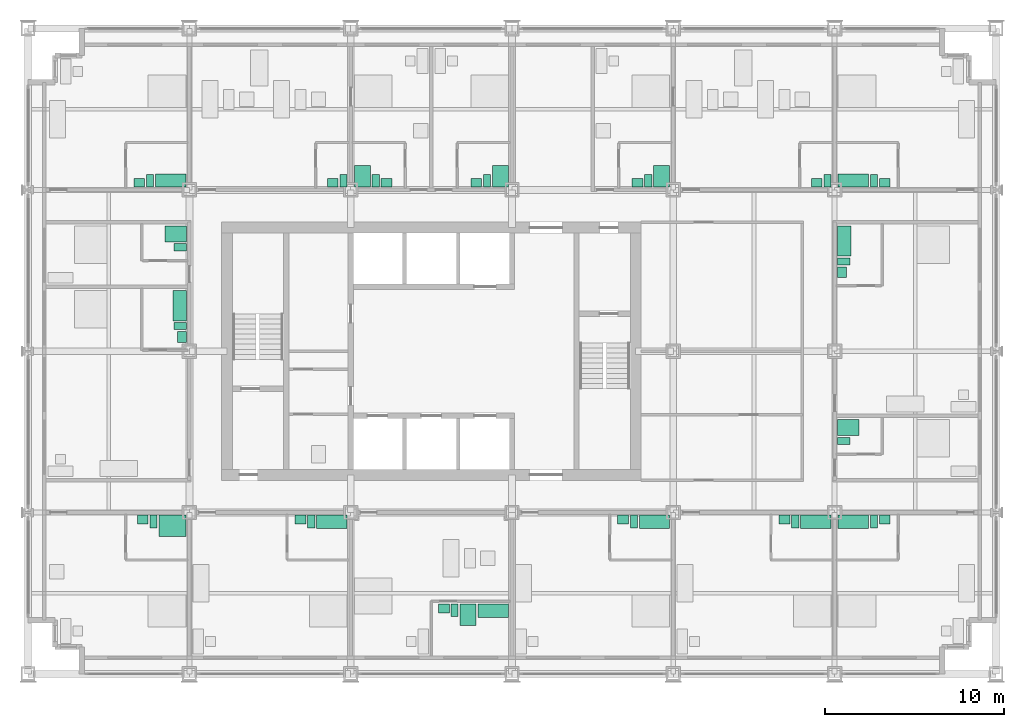
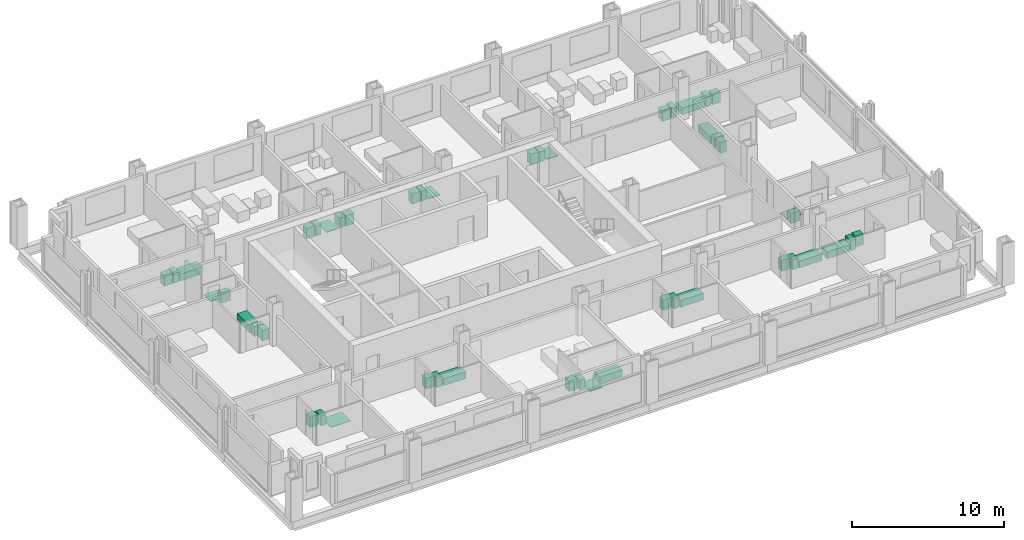
# One storey, part 17 of 18: 48 sanitary terminals.
"""IFC4 building model written with IfcOpenShell, lengths in metres."""

from ifc_helpers import new_model, si_unit, direction, frame, origin, origin_2d, place, context, subcontext, project, spatial, rectangle, extrude, element, save


model = new_model("IFC4")

# Units and contexts
model_context = context("Model", 3, precision=1e-05, world=origin(), true_north=direction((0.0, 1.0)))
body_context = subcontext(model_context, "Body", "Model", "MODEL_VIEW")
ifc_project = project(units=[si_unit("LENGTHUNIT", "METRE"), si_unit("AREAUNIT", "SQUARE_METRE"), si_unit("VOLUMEUNIT", "CUBIC_METRE"), si_unit("PLANEANGLEUNIT", "RADIAN"), si_unit("MASSUNIT", "GRAM", prefix="KILO")], contexts=[model_context])

# Site, building, storey
site_placement = place(None, origin())
site = spatial("IfcSite", under=ifc_project, at=site_placement, CompositionType="ELEMENT")
building_placement = place(site_placement, origin())
building = spatial("IfcBuilding", under=site, at=building_placement, Name="Loomwork Tower", CompositionType="ELEMENT")
storey_placement = place(building_placement, frame((0.0, 0.0, 48.39990234375)))
storey = spatial("IfcBuildingStorey", under=building, at=storey_placement, Name="L11", CompositionType="ELEMENT", Elevation=48.39990234375)

# Sanitary terminals
sanitary_terminal_1_placement = place(storey_placement, frame((8.050048828125, 8.25, 0.0), z_axis=(0.0, 0.0, 1.0), x_axis=(1.0, 0.0, 0.0)))
element("IfcSanitaryTerminal", 1, at=sanitary_terminal_1_placement, inside=storey, Name="Roll-in shower floor L11", PredefinedType="SHOWER", context=body_context, shape_type="SweptSolid", body=[
    extrude(rectangle(XDim=1.5, YDim=1.199951171875, at=origin_2d()), origin(), (0.0, 0.0, 1.0), 0.030029296875),
])
sanitary_terminal_2_placement = place(storey_placement, frame((7.0, 8.5, 0.0), z_axis=(0.0, 0.0, 1.0), x_axis=(1.0, 0.0, 0.0)))
element("IfcSanitaryTerminal", 2, at=sanitary_terminal_2_placement, inside=storey, Name="WC L11", PredefinedType="TOILETPAN", context=body_context, shape_type="SweptSolid", body=[
    extrude(rectangle(XDim=0.39990234375, YDim=0.699951171875, at=origin_2d()), origin(), (0.0, 0.0, 1.0), 0.800048828125),
])
sanitary_terminal_3_placement = place(storey_placement, frame((6.39990234375, 8.60009765625, 0.0), z_axis=(0.0, 0.0, 1.0), x_axis=(1.0, 0.0, 0.0)))
element("IfcSanitaryTerminal", 3, at=sanitary_terminal_3_placement, inside=storey, Name="Basin vanity L11", PredefinedType="WASHHANDBASIN", context=body_context, shape_type="SweptSolid", body=[
    extrude(rectangle(XDim=0.60009765625, YDim=0.5, at=origin_2d()), origin(), (0.0, 0.0, 1.0), 0.85009765625),
])
sanitary_terminal_4_placement = place(storey_placement, frame((16.949951171875, 8.47509765625, 0.0), z_axis=(0.0, 0.0, 1.0), x_axis=(1.0, 0.0, 0.0)))
element("IfcSanitaryTerminal", 4, at=sanitary_terminal_4_placement, inside=storey, Name="Bath L11", PredefinedType="BATH", context=body_context, shape_type="SweptSolid", body=[
    extrude(rectangle(XDim=1.699951171875, YDim=0.75, at=origin_2d()), origin(), (0.0, 0.0, 1.0), 0.550048828125),
])
sanitary_terminal_5_placement = place(storey_placement, frame((15.800048828125, 8.5, 0.0), z_axis=(0.0, 0.0, 1.0), x_axis=(1.0, 0.0, 0.0)))
element("IfcSanitaryTerminal", 5, at=sanitary_terminal_5_placement, inside=storey, Name="WC L11", PredefinedType="TOILETPAN", context=body_context, shape_type="SweptSolid", body=[
    extrude(rectangle(XDim=0.39990234375, YDim=0.699951171875, at=origin_2d()), origin(), (0.0, 0.0, 1.0), 0.800048828125),
])
sanitary_terminal_6_placement = place(storey_placement, frame((15.199951171875, 8.60009765625, 0.0), z_axis=(0.0, 0.0, 1.0), x_axis=(1.0, 0.0, 0.0)))
element("IfcSanitaryTerminal", 6, at=sanitary_terminal_6_placement, inside=storey, Name="Basin vanity L11", PredefinedType="WASHHANDBASIN", context=body_context, shape_type="SweptSolid", body=[
    extrude(rectangle(XDim=0.60009765625, YDim=0.5, at=origin_2d()), origin(), (0.0, 0.0, 1.0), 0.85009765625),
])
sanitary_terminal_7_placement = place(storey_placement, frame((25.949951171875, 3.52490234375, 0.0), z_axis=(0.0, 0.0, 1.0), x_axis=(1.0, 0.0, 0.0)))
element("IfcSanitaryTerminal", 7, at=sanitary_terminal_7_placement, inside=storey, Name="Bath L11", PredefinedType="BATH", context=body_context, shape_type="SweptSolid", body=[
    extrude(rectangle(XDim=1.699951171875, YDim=0.75, at=origin_2d()), origin(), (0.0, 0.0, 1.0), 0.550048828125),
])
sanitary_terminal_8_placement = place(storey_placement, frame((24.550048828125, 3.300048828125, 0.0), z_axis=(0.0, 0.0, 1.0), x_axis=(1.0, 0.0, 0.0)))
element("IfcSanitaryTerminal", 8, at=sanitary_terminal_8_placement, inside=storey, Name="Shower tray L11", PredefinedType="SHOWER", context=body_context, shape_type="SweptSolid", body=[
    extrude(rectangle(XDim=0.89990234375, YDim=1.199951171875, at=origin_2d()), origin(), (0.0, 0.0, 1.0), 0.050048828125),
])
sanitary_terminal_9_placement = place(storey_placement, frame((23.800048828125, 3.550048828125, 0.0), z_axis=(0.0, 0.0, 1.0), x_axis=(1.0, 0.0, 0.0)))
element("IfcSanitaryTerminal", 9, at=sanitary_terminal_9_placement, inside=storey, Name="WC L11", PredefinedType="TOILETPAN", context=body_context, shape_type="SweptSolid", body=[
    extrude(rectangle(XDim=0.39990234375, YDim=0.699951171875, at=origin_2d()), origin(), (0.0, 0.0, 1.0), 0.800048828125),
])
sanitary_terminal_10_placement = place(storey_placement, frame((23.199951171875, 3.64990234375, 0.0), z_axis=(0.0, 0.0, 1.0), x_axis=(1.0, 0.0, 0.0)))
element("IfcSanitaryTerminal", 10, at=sanitary_terminal_10_placement, inside=storey, Name="Basin vanity L11", PredefinedType="WASHHANDBASIN", context=body_context, shape_type="SweptSolid", body=[
    extrude(rectangle(XDim=0.60009765625, YDim=0.5, at=origin_2d()), origin(), (0.0, 0.0, 1.0), 0.85009765625),
])
sanitary_terminal_11_placement = place(storey_placement, frame((34.949951171875, 8.47509765625, 0.0), z_axis=(0.0, 0.0, 1.0), x_axis=(1.0, 0.0, 0.0)))
element("IfcSanitaryTerminal", 11, at=sanitary_terminal_11_placement, inside=storey, Name="Bath L11", PredefinedType="BATH", context=body_context, shape_type="SweptSolid", body=[
    extrude(rectangle(XDim=1.699951171875, YDim=0.75, at=origin_2d()), origin(), (0.0, 0.0, 1.0), 0.550048828125),
])
sanitary_terminal_12_placement = place(storey_placement, frame((33.800048828125, 8.5, 0.0), z_axis=(0.0, 0.0, 1.0), x_axis=(1.0, 0.0, 0.0)))
element("IfcSanitaryTerminal", 12, at=sanitary_terminal_12_placement, inside=storey, Name="WC L11", PredefinedType="TOILETPAN", context=body_context, shape_type="SweptSolid", body=[
    extrude(rectangle(XDim=0.39990234375, YDim=0.699951171875, at=origin_2d()), origin(), (0.0, 0.0, 1.0), 0.800048828125),
])
sanitary_terminal_13_placement = place(storey_placement, frame((33.199951171875, 8.60009765625, 0.0), z_axis=(0.0, 0.0, 1.0), x_axis=(1.0, 0.0, 0.0)))
element("IfcSanitaryTerminal", 13, at=sanitary_terminal_13_placement, inside=storey, Name="Basin vanity L11", PredefinedType="WASHHANDBASIN", context=body_context, shape_type="SweptSolid", body=[
    extrude(rectangle(XDim=0.60009765625, YDim=0.5, at=origin_2d()), origin(), (0.0, 0.0, 1.0), 0.85009765625),
])
sanitary_terminal_14_placement = place(storey_placement, frame((43.949951171875, 8.47509765625, 0.0), z_axis=(0.0, 0.0, 1.0), x_axis=(1.0, 0.0, 0.0)))
element("IfcSanitaryTerminal", 14, at=sanitary_terminal_14_placement, inside=storey, Name="Bath L11", PredefinedType="BATH", context=body_context, shape_type="SweptSolid", body=[
    extrude(rectangle(XDim=1.699951171875, YDim=0.75, at=origin_2d()), origin(), (0.0, 0.0, 1.0), 0.550048828125),
])
sanitary_terminal_15_placement = place(storey_placement, frame((42.800048828125, 8.5, 0.0), z_axis=(0.0, 0.0, 1.0), x_axis=(1.0, 0.0, 0.0)))
element("IfcSanitaryTerminal", 15, at=sanitary_terminal_15_placement, inside=storey, Name="WC L11", PredefinedType="TOILETPAN", context=body_context, shape_type="SweptSolid", body=[
    extrude(rectangle(XDim=0.39990234375, YDim=0.699951171875, at=origin_2d()), origin(), (0.0, 0.0, 1.0), 0.800048828125),
])
sanitary_terminal_16_placement = place(storey_placement, frame((42.199951171875, 8.60009765625, 0.0), z_axis=(0.0, 0.0, 1.0), x_axis=(1.0, 0.0, 0.0)))
element("IfcSanitaryTerminal", 16, at=sanitary_terminal_16_placement, inside=storey, Name="Basin vanity L11", PredefinedType="WASHHANDBASIN", context=body_context, shape_type="SweptSolid", body=[
    extrude(rectangle(XDim=0.60009765625, YDim=0.5, at=origin_2d()), origin(), (0.0, 0.0, 1.0), 0.85009765625),
])
sanitary_terminal_17_placement = place(storey_placement, frame((46.050048828125, 8.47509765625, 0.0), z_axis=(0.0, 0.0, 1.0), x_axis=(1.0, 0.0, 0.0)))
element("IfcSanitaryTerminal", 17, at=sanitary_terminal_17_placement, inside=storey, Name="Bath L11", PredefinedType="BATH", context=body_context, shape_type="SweptSolid", body=[
    extrude(rectangle(XDim=1.699951171875, YDim=0.75, at=origin_2d()), origin(), (0.0, 0.0, 1.0), 0.550048828125),
])
sanitary_terminal_18_placement = place(storey_placement, frame((47.199951171875, 8.5, 0.0), z_axis=(0.0, 0.0, 1.0), x_axis=(1.0, 0.0, 0.0)))
element("IfcSanitaryTerminal", 18, at=sanitary_terminal_18_placement, inside=storey, Name="WC L11", PredefinedType="TOILETPAN", context=body_context, shape_type="SweptSolid", body=[
    extrude(rectangle(XDim=0.39990234375, YDim=0.699951171875, at=origin_2d()), origin(), (0.0, 0.0, 1.0), 0.800048828125),
])
sanitary_terminal_19_placement = place(storey_placement, frame((47.800048828125, 8.60009765625, 0.0), z_axis=(0.0, 0.0, 1.0), x_axis=(1.0, 0.0, 0.0)))
element("IfcSanitaryTerminal", 19, at=sanitary_terminal_19_placement, inside=storey, Name="Basin vanity L11", PredefinedType="WASHHANDBASIN", context=body_context, shape_type="SweptSolid", body=[
    extrude(rectangle(XDim=0.60009765625, YDim=0.5, at=origin_2d()), origin(), (0.0, 0.0, 1.0), 0.85009765625),
])
sanitary_terminal_20_placement = place(storey_placement, frame((7.949951171875, 27.52490234375, 0.0), z_axis=(0.0, 0.0, 1.0), x_axis=(1.0, 0.0, 0.0)))
element("IfcSanitaryTerminal", 20, at=sanitary_terminal_20_placement, inside=storey, Name="Bath L11", PredefinedType="BATH", context=body_context, shape_type="SweptSolid", body=[
    extrude(rectangle(XDim=1.699951171875, YDim=0.75, at=origin_2d()), origin(), (0.0, 0.0, 1.0), 0.550048828125),
])
sanitary_terminal_21_placement = place(storey_placement, frame((6.800048828125, 27.5, 0.0), z_axis=(0.0, 0.0, 1.0), x_axis=(1.0, 0.0, 0.0)))
element("IfcSanitaryTerminal", 21, at=sanitary_terminal_21_placement, inside=storey, Name="WC L11", PredefinedType="TOILETPAN", context=body_context, shape_type="SweptSolid", body=[
    extrude(rectangle(XDim=0.39990234375, YDim=0.699951171875, at=origin_2d()), origin(), (0.0, 0.0, 1.0), 0.800048828125),
])
sanitary_terminal_22_placement = place(storey_placement, frame((6.199951171875, 27.39990234375, 0.0), z_axis=(0.0, 0.0, 1.0), x_axis=(1.0, 0.0, 0.0)))
element("IfcSanitaryTerminal", 22, at=sanitary_terminal_22_placement, inside=storey, Name="Basin vanity L11", PredefinedType="WASHHANDBASIN", context=body_context, shape_type="SweptSolid", body=[
    extrude(rectangle(XDim=0.60009765625, YDim=0.5, at=origin_2d()), origin(), (0.0, 0.0, 1.0), 0.85009765625),
])
sanitary_terminal_23_placement = place(storey_placement, frame((17.60009765625, 27.5, 0.0), z_axis=(0.0, 0.0, 1.0), x_axis=(1.0, 0.0, 0.0)))
element("IfcSanitaryTerminal", 23, at=sanitary_terminal_23_placement, inside=storey, Name="WC L11", PredefinedType="TOILETPAN", context=body_context, shape_type="SweptSolid", body=[
    extrude(rectangle(XDim=0.39990234375, YDim=0.699951171875, at=origin_2d()), origin(), (0.0, 0.0, 1.0), 0.800048828125),
])
sanitary_terminal_24_placement = place(storey_placement, frame((17.0, 27.39990234375, 0.0), z_axis=(0.0, 0.0, 1.0), x_axis=(1.0, 0.0, 0.0)))
element("IfcSanitaryTerminal", 24, at=sanitary_terminal_24_placement, inside=storey, Name="Basin vanity L11", PredefinedType="WASHHANDBASIN", context=body_context, shape_type="SweptSolid", body=[
    extrude(rectangle(XDim=0.60009765625, YDim=0.5, at=origin_2d()), origin(), (0.0, 0.0, 1.0), 0.85009765625),
])
sanitary_terminal_25_placement = place(storey_placement, frame((18.64990234375, 27.75, 0.0), z_axis=(0.0, 0.0, 1.0), x_axis=(1.0, 0.0, 0.0)))
element("IfcSanitaryTerminal", 25, at=sanitary_terminal_25_placement, inside=storey, Name="Shower tray L11", PredefinedType="SHOWER", context=body_context, shape_type="SweptSolid", body=[
    extrude(rectangle(XDim=0.89990234375, YDim=1.199951171875, at=origin_2d()), origin(), (0.0, 0.0, 1.0), 0.050048828125),
])
sanitary_terminal_26_placement = place(storey_placement, frame((19.39990234375, 27.5, 0.0), z_axis=(0.0, 0.0, 1.0), x_axis=(1.0, 0.0, 0.0)))
element("IfcSanitaryTerminal", 26, at=sanitary_terminal_26_placement, inside=storey, Name="WC L11", PredefinedType="TOILETPAN", context=body_context, shape_type="SweptSolid", body=[
    extrude(rectangle(XDim=0.39990234375, YDim=0.699951171875, at=origin_2d()), origin(), (0.0, 0.0, 1.0), 0.800048828125),
])
sanitary_terminal_27_placement = place(storey_placement, frame((20.0, 27.39990234375, 0.0), z_axis=(0.0, 0.0, 1.0), x_axis=(1.0, 0.0, 0.0)))
element("IfcSanitaryTerminal", 27, at=sanitary_terminal_27_placement, inside=storey, Name="Basin vanity L11", PredefinedType="WASHHANDBASIN", context=body_context, shape_type="SweptSolid", body=[
    extrude(rectangle(XDim=0.60009765625, YDim=0.5, at=origin_2d()), origin(), (0.0, 0.0, 1.0), 0.85009765625),
])
sanitary_terminal_28_placement = place(storey_placement, frame((26.35009765625, 27.75, 0.0), z_axis=(0.0, 0.0, 1.0), x_axis=(1.0, 0.0, 0.0)))
element("IfcSanitaryTerminal", 28, at=sanitary_terminal_28_placement, inside=storey, Name="Shower tray L11", PredefinedType="SHOWER", context=body_context, shape_type="SweptSolid", body=[
    extrude(rectangle(XDim=0.89990234375, YDim=1.199951171875, at=origin_2d()), origin(), (0.0, 0.0, 1.0), 0.050048828125),
])
sanitary_terminal_29_placement = place(storey_placement, frame((25.60009765625, 27.5, 0.0), z_axis=(0.0, 0.0, 1.0), x_axis=(1.0, 0.0, 0.0)))
element("IfcSanitaryTerminal", 29, at=sanitary_terminal_29_placement, inside=storey, Name="WC L11", PredefinedType="TOILETPAN", context=body_context, shape_type="SweptSolid", body=[
    extrude(rectangle(XDim=0.39990234375, YDim=0.699951171875, at=origin_2d()), origin(), (0.0, 0.0, 1.0), 0.800048828125),
])
sanitary_terminal_30_placement = place(storey_placement, frame((25.0, 27.39990234375, 0.0), z_axis=(0.0, 0.0, 1.0), x_axis=(1.0, 0.0, 0.0)))
element("IfcSanitaryTerminal", 30, at=sanitary_terminal_30_placement, inside=storey, Name="Basin vanity L11", PredefinedType="WASHHANDBASIN", context=body_context, shape_type="SweptSolid", body=[
    extrude(rectangle(XDim=0.60009765625, YDim=0.5, at=origin_2d()), origin(), (0.0, 0.0, 1.0), 0.85009765625),
])
sanitary_terminal_31_placement = place(storey_placement, frame((35.35009765625, 27.75, 0.0), z_axis=(0.0, 0.0, 1.0), x_axis=(1.0, 0.0, 0.0)))
element("IfcSanitaryTerminal", 31, at=sanitary_terminal_31_placement, inside=storey, Name="Shower tray L11", PredefinedType="SHOWER", context=body_context, shape_type="SweptSolid", body=[
    extrude(rectangle(XDim=0.89990234375, YDim=1.199951171875, at=origin_2d()), origin(), (0.0, 0.0, 1.0), 0.050048828125),
])
sanitary_terminal_32_placement = place(storey_placement, frame((34.60009765625, 27.5, 0.0), z_axis=(0.0, 0.0, 1.0), x_axis=(1.0, 0.0, 0.0)))
element("IfcSanitaryTerminal", 32, at=sanitary_terminal_32_placement, inside=storey, Name="WC L11", PredefinedType="TOILETPAN", context=body_context, shape_type="SweptSolid", body=[
    extrude(rectangle(XDim=0.39990234375, YDim=0.699951171875, at=origin_2d()), origin(), (0.0, 0.0, 1.0), 0.800048828125),
])
sanitary_terminal_33_placement = place(storey_placement, frame((34.0, 27.39990234375, 0.0), z_axis=(0.0, 0.0, 1.0), x_axis=(1.0, 0.0, 0.0)))
element("IfcSanitaryTerminal", 33, at=sanitary_terminal_33_placement, inside=storey, Name="Basin vanity L11", PredefinedType="WASHHANDBASIN", context=body_context, shape_type="SweptSolid", body=[
    extrude(rectangle(XDim=0.60009765625, YDim=0.5, at=origin_2d()), origin(), (0.0, 0.0, 1.0), 0.85009765625),
])
sanitary_terminal_34_placement = place(storey_placement, frame((44.60009765625, 27.5, 0.0), z_axis=(0.0, 0.0, 1.0), x_axis=(1.0, 0.0, 0.0)))
element("IfcSanitaryTerminal", 34, at=sanitary_terminal_34_placement, inside=storey, Name="WC L11", PredefinedType="TOILETPAN", context=body_context, shape_type="SweptSolid", body=[
    extrude(rectangle(XDim=0.39990234375, YDim=0.699951171875, at=origin_2d()), origin(), (0.0, 0.0, 1.0), 0.800048828125),
])
sanitary_terminal_35_placement = place(storey_placement, frame((44.0, 27.39990234375, 0.0), z_axis=(0.0, 0.0, 1.0), x_axis=(1.0, 0.0, 0.0)))
element("IfcSanitaryTerminal", 35, at=sanitary_terminal_35_placement, inside=storey, Name="Basin vanity L11", PredefinedType="WASHHANDBASIN", context=body_context, shape_type="SweptSolid", body=[
    extrude(rectangle(XDim=0.60009765625, YDim=0.5, at=origin_2d()), origin(), (0.0, 0.0, 1.0), 0.85009765625),
])
sanitary_terminal_36_placement = place(storey_placement, frame((46.050048828125, 27.52490234375, 0.0), z_axis=(0.0, 0.0, 1.0), x_axis=(1.0, 0.0, 0.0)))
element("IfcSanitaryTerminal", 36, at=sanitary_terminal_36_placement, inside=storey, Name="Bath L11", PredefinedType="BATH", context=body_context, shape_type="SweptSolid", body=[
    extrude(rectangle(XDim=1.699951171875, YDim=0.75, at=origin_2d()), origin(), (0.0, 0.0, 1.0), 0.550048828125),
])
sanitary_terminal_37_placement = place(storey_placement, frame((47.199951171875, 27.5, 0.0), z_axis=(0.0, 0.0, 1.0), x_axis=(1.0, 0.0, 0.0)))
element("IfcSanitaryTerminal", 37, at=sanitary_terminal_37_placement, inside=storey, Name="WC L11", PredefinedType="TOILETPAN", context=body_context, shape_type="SweptSolid", body=[
    extrude(rectangle(XDim=0.39990234375, YDim=0.699951171875, at=origin_2d()), origin(), (0.0, 0.0, 1.0), 0.800048828125),
])
sanitary_terminal_38_placement = place(storey_placement, frame((47.800048828125, 27.39990234375, 0.0), z_axis=(0.0, 0.0, 1.0), x_axis=(1.0, 0.0, 0.0)))
element("IfcSanitaryTerminal", 38, at=sanitary_terminal_38_placement, inside=storey, Name="Basin vanity L11", PredefinedType="WASHHANDBASIN", context=body_context, shape_type="SweptSolid", body=[
    extrude(rectangle(XDim=0.60009765625, YDim=0.5, at=origin_2d()), origin(), (0.0, 0.0, 1.0), 0.85009765625),
])
sanitary_terminal_39_placement = place(storey_placement, frame((8.47509765625, 20.550048828125, 0.0), z_axis=(0.0, 0.0, 1.0), x_axis=(1.0, 0.0, 0.0)))
element("IfcSanitaryTerminal", 39, at=sanitary_terminal_39_placement, inside=storey, Name="Bath L11", PredefinedType="BATH", context=body_context, shape_type="SweptSolid", body=[
    extrude(rectangle(XDim=0.75, YDim=1.699951171875, at=origin_2d()), origin(), (0.0, 0.0, 1.0), 0.550048828125),
])
sanitary_terminal_40_placement = place(storey_placement, frame((8.5, 19.39990234375, 0.0), z_axis=(0.0, 0.0, 1.0), x_axis=(1.0, 0.0, 0.0)))
element("IfcSanitaryTerminal", 40, at=sanitary_terminal_40_placement, inside=storey, Name="WC L11", PredefinedType="TOILETPAN", context=body_context, shape_type="SweptSolid", body=[
    extrude(rectangle(XDim=0.699951171875, YDim=0.39990234375, at=origin_2d()), origin(), (0.0, 0.0, 1.0), 0.800048828125),
])
sanitary_terminal_41_placement = place(storey_placement, frame((8.60009765625, 18.800048828125, 0.0), z_axis=(0.0, 0.0, 1.0), x_axis=(1.0, 0.0, 0.0)))
element("IfcSanitaryTerminal", 41, at=sanitary_terminal_41_placement, inside=storey, Name="Basin vanity L11", PredefinedType="WASHHANDBASIN", context=body_context, shape_type="SweptSolid", body=[
    extrude(rectangle(XDim=0.5, YDim=0.60009765625, at=origin_2d()), origin(), (0.0, 0.0, 1.0), 0.85009765625),
])
sanitary_terminal_42_placement = place(storey_placement, frame((8.25, 24.550048828125, 0.0), z_axis=(0.0, 0.0, 1.0), x_axis=(1.0, 0.0, 0.0)))
element("IfcSanitaryTerminal", 42, at=sanitary_terminal_42_placement, inside=storey, Name="Shower tray L11", PredefinedType="SHOWER", context=body_context, shape_type="SweptSolid", body=[
    extrude(rectangle(XDim=1.199951171875, YDim=0.89990234375, at=origin_2d()), origin(), (0.0, 0.0, 1.0), 0.050048828125),
])
sanitary_terminal_43_placement = place(storey_placement, frame((8.5, 23.800048828125, 0.0), z_axis=(0.0, 0.0, 1.0), x_axis=(1.0, 0.0, 0.0)))
element("IfcSanitaryTerminal", 43, at=sanitary_terminal_43_placement, inside=storey, Name="WC L11", PredefinedType="TOILETPAN", context=body_context, shape_type="SweptSolid", body=[
    extrude(rectangle(XDim=0.699951171875, YDim=0.39990234375, at=origin_2d()), origin(), (0.0, 0.0, 1.0), 0.800048828125),
])
sanitary_terminal_44_placement = place(storey_placement, frame((45.75, 13.75, 0.0), z_axis=(0.0, 0.0, 1.0), x_axis=(1.0, 0.0, 0.0)))
element("IfcSanitaryTerminal", 44, at=sanitary_terminal_44_placement, inside=storey, Name="Shower tray L11", PredefinedType="SHOWER", context=body_context, shape_type="SweptSolid", body=[
    extrude(rectangle(XDim=1.199951171875, YDim=0.89990234375, at=origin_2d()), origin(), (0.0, 0.0, 1.0), 0.050048828125),
])
sanitary_terminal_45_placement = place(storey_placement, frame((45.5, 13.0, 0.0), z_axis=(0.0, 0.0, 1.0), x_axis=(1.0, 0.0, 0.0)))
element("IfcSanitaryTerminal", 45, at=sanitary_terminal_45_placement, inside=storey, Name="WC L11", PredefinedType="TOILETPAN", context=body_context, shape_type="SweptSolid", body=[
    extrude(rectangle(XDim=0.699951171875, YDim=0.39990234375, at=origin_2d()), origin(), (0.0, 0.0, 1.0), 0.800048828125),
])
sanitary_terminal_46_placement = place(storey_placement, frame((45.52490234375, 24.14990234375, 0.0), z_axis=(0.0, 0.0, 1.0), x_axis=(1.0, 0.0, 0.0)))
element("IfcSanitaryTerminal", 46, at=sanitary_terminal_46_placement, inside=storey, Name="Bath L11", PredefinedType="BATH", context=body_context, shape_type="SweptSolid", body=[
    extrude(rectangle(XDim=0.75, YDim=1.699951171875, at=origin_2d()), origin(), (0.0, 0.0, 1.0), 0.550048828125),
])
sanitary_terminal_47_placement = place(storey_placement, frame((45.5, 23.0, 0.0), z_axis=(0.0, 0.0, 1.0), x_axis=(1.0, 0.0, 0.0)))
element("IfcSanitaryTerminal", 47, at=sanitary_terminal_47_placement, inside=storey, Name="WC L11", PredefinedType="TOILETPAN", context=body_context, shape_type="SweptSolid", body=[
    extrude(rectangle(XDim=0.699951171875, YDim=0.39990234375, at=origin_2d()), origin(), (0.0, 0.0, 1.0), 0.800048828125),
])
sanitary_terminal_48_placement = place(storey_placement, frame((45.39990234375, 22.39990234375, 0.0), z_axis=(0.0, 0.0, 1.0), x_axis=(1.0, 0.0, 0.0)))
element("IfcSanitaryTerminal", 48, at=sanitary_terminal_48_placement, inside=storey, Name="Basin vanity L11", PredefinedType="WASHHANDBASIN", context=body_context, shape_type="SweptSolid", body=[
    extrude(rectangle(XDim=0.5, YDim=0.60009765625, at=origin_2d()), origin(), (0.0, 0.0, 1.0), 0.85009765625),
])

save(model, "model.ifc")
